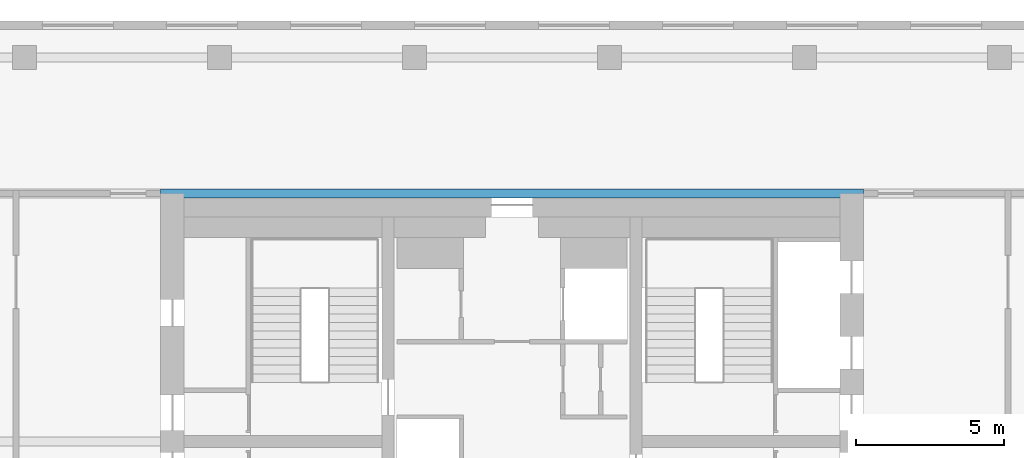
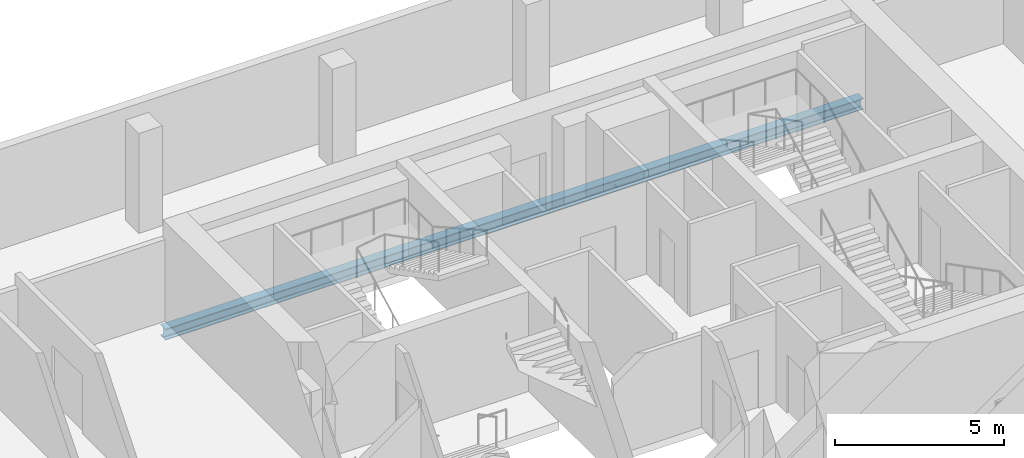
# One storey, part 9 of 20: 1 beam.
"""IFC4 building model written with IfcOpenShell, lengths in metres."""

from ifc_helpers import new_model, si_unit, direction, frame, origin, origin_2d, place, context, subcontext, project, spatial, i_section, extrude, material, material_profile, profile_set, type_object, element, save


model = new_model("IFC4")

# Units and contexts
model_context = context("Model", 3, precision=1e-05, world=origin(), true_north=direction((0.0, 1.0)))
body_context = subcontext(model_context, "Body", "Model", "MODEL_VIEW")
ifc_project = project(units=[si_unit("LENGTHUNIT", "METRE"), si_unit("AREAUNIT", "SQUARE_METRE"), si_unit("VOLUMEUNIT", "CUBIC_METRE"), si_unit("PLANEANGLEUNIT", "RADIAN"), si_unit("MASSUNIT", "GRAM", prefix="KILO")], contexts=[model_context])

# Site, building, storey
site_placement = place(None, origin())
site = spatial("IfcSite", under=ifc_project, at=site_placement, CompositionType="ELEMENT")
building_placement = place(site_placement, origin())
building = spatial("IfcBuilding", under=site, at=building_placement, Name="Marenta Gate Hotel Tower", CompositionType="ELEMENT")
storey_placement = place(building_placement, frame((0.0, 0.0, 216.5)))
storey = spatial("IfcBuildingStorey", under=building, at=storey_placement, Name="L50", CompositionType="ELEMENT", Elevation=216.5)

# Beam
ifc_material = material(Name="Steel S355", Category="steel")
ifc_material_profile = material_profile(ifc_material, i_section(OverallWidth=0.300048828125, OverallDepth=0.39990234375, WebThickness=0.013427734375, FlangeThickness=0.02392578125, FilletRadius=0.027099609375, at=origin_2d()), Name="HEB 400")
ifc_profile_set = profile_set([ifc_material_profile], Name="Steel S355")
beam_type = type_object("IfcBeamType", Name="Girder HEB 400", PredefinedType="BEAM", material=ifc_profile_set)
beam_placement = place(storey_placement, frame((-11.89990234375, 16.800048828125, -0.4599609375), z_axis=(1.0, 0.0, 0.0), x_axis=(0.0, 1.0, 0.0)))
element("IfcBeam", 1, at=beam_placement, inside=storey, type_object=beam_type, Name="L50-GD-31", PredefinedType="BEAM", context=body_context, shape_type="SweptSolid", body=[
    extrude(i_section(OverallWidth=0.300048828125, OverallDepth=0.39990234375, WebThickness=0.013427734375, FlangeThickness=0.02392578125, FilletRadius=0.027099609375, at=origin_2d()), origin(), (0.0, 0.0, 1.0), 23.7998046875),
])

save(model, "model.ifc")
